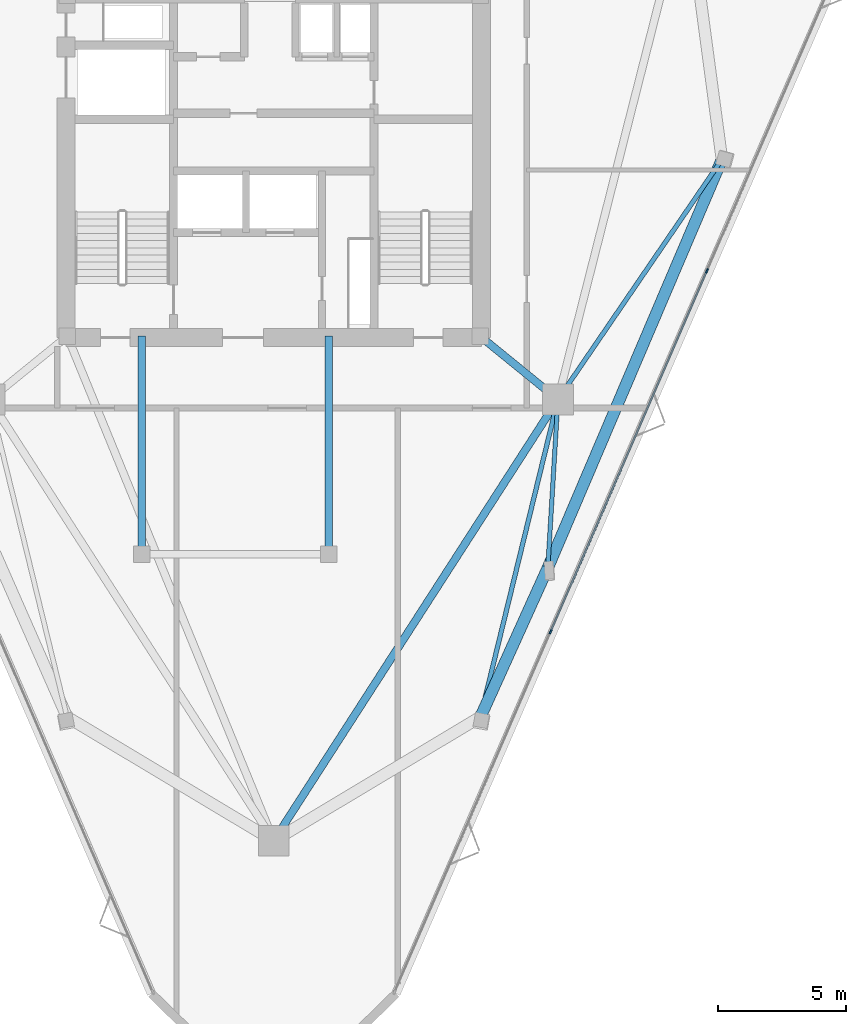
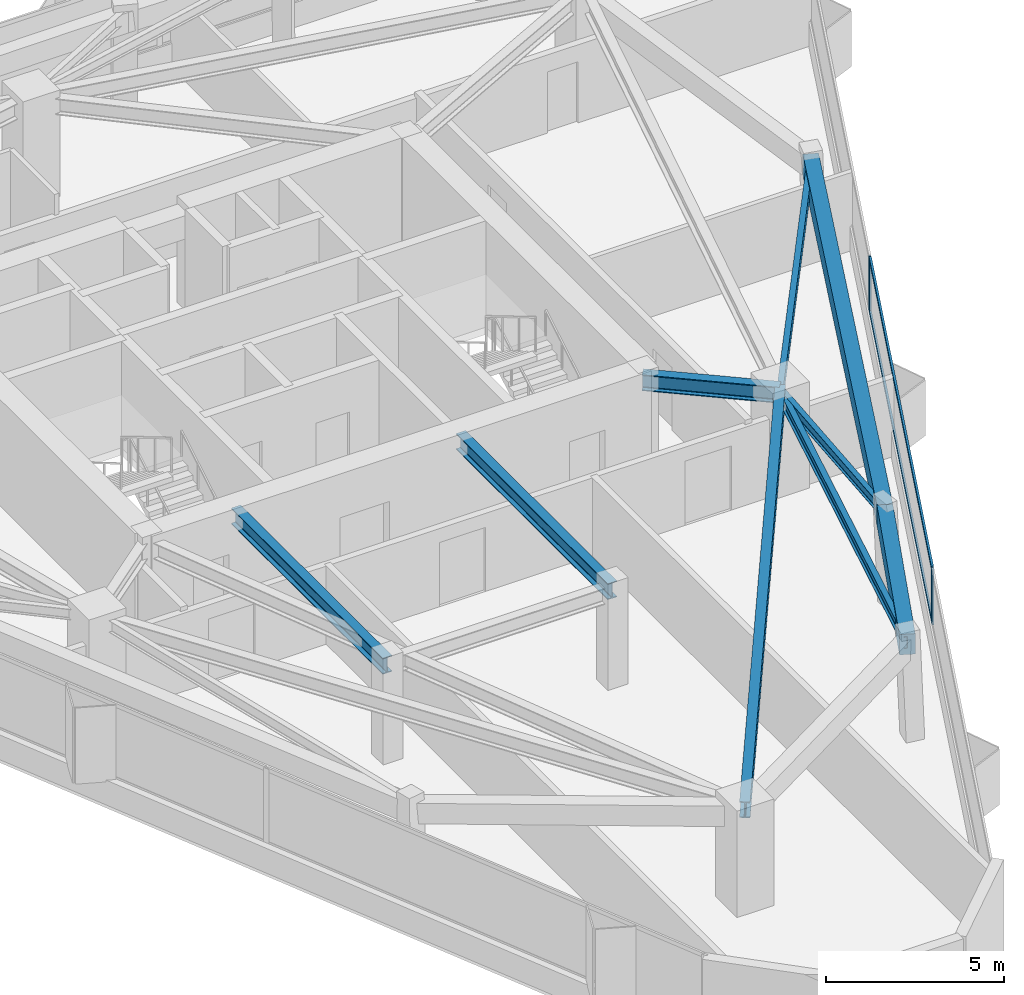
# One storey, part 4 of 11: 9 beams, 4 members, 1 element without a shape of its own.
"""IFC4 building model written with IfcOpenShell, lengths in metres."""

import ifcopenshell
import ifcopenshell.guid

model = None  # the IFC model being written
_history = None  # IfcOwnerHistory: only IFC2X3 demands one
_inside = {}  # id of a spatial element -> (the spatial element, [elements in it])
_under = {}  # id of a project, library or spatial element -> (it, [spatial elements below it])
_declared = {}  # id of a project -> (the project, [libraries it declares])
_typed = {}  # id of a type object -> (the type object, [elements of that type])
_made_of = {}  # id of a material, layer set ... -> (it, [elements and type objects made of it])


def new_model(schema):
    """Start an empty IFC model of exactly this schema.

    Asked for "IFC4X3", IfcOpenShell would pick the latest addendum, in which some entities
    have other attributes; the version numbers below select the first issue.
    IFC2X3 requires an IfcOwnerHistory on every rooted entity: one is made here for all.
    """
    global model, _history
    if schema == "IFC4X3":
        model = ifcopenshell.file(schema_version=(4, 3, 0, 0))
    else:
        model = ifcopenshell.file(schema=schema)
    _inside.clear()
    _under.clear()
    _declared.clear()
    _typed.clear()
    _made_of.clear()
    _history = None
    if model.schema == "IFC2X3":
        org = make("IfcOrganization", Name="unknown")
        user = make(
            "IfcPersonAndOrganization",
            ThePerson=make("IfcPerson", FamilyName="unknown"),
            TheOrganization=org,
        )
        app = make(
            "IfcApplication",
            ApplicationDeveloper=org,
            Version="unknown",
            ApplicationFullName="unknown",
            ApplicationIdentifier="unknown",
        )
        _history = make(
            "IfcOwnerHistory",
            OwningUser=user,
            OwningApplication=app,
            ChangeAction="ADDED",
            CreationDate=0,
        )
    return model


def make(cls, **values):
    """One entity of the class cls with the attributes given. An attribute that is None is left unset."""
    return model.create_entity(
        cls, **{name: value for name, value in values.items() if value is not None}
    )


def rooted(cls, **values):
    """An entity with a GlobalId (a new one), such as an element, a storey or a relation."""
    return make(cls, GlobalId=ifcopenshell.guid.new(), OwnerHistory=_history, **values)


def si_unit(unit_type, name, prefix=None):
    """IfcSIUnit, for example si_unit("LENGTHUNIT", "METRE", prefix="MILLI")."""
    return make("IfcSIUnit", UnitType=unit_type, Prefix=prefix, Name=name)


def assignment(units):
    """IfcUnitAssignment: the units of a project."""
    return None if units is None else make("IfcUnitAssignment", Units=units)


def point(xyz):
    """IfcCartesianPoint."""
    return None if xyz is None else make("IfcCartesianPoint", Coordinates=xyz)


def direction(xyz):
    """IfcDirection."""
    return None if xyz is None else make("IfcDirection", DirectionRatios=xyz)


def frame(location, z_axis=None, x_axis=None):
    """IfcAxis2Placement3D, a coordinate frame: its origin and axes. An axis left out is left unset."""
    return make(
        "IfcAxis2Placement3D",
        Location=point(location),
        Axis=direction(z_axis),
        RefDirection=direction(x_axis),
    )


def frame_2d(location, x_axis=None):
    """IfcAxis2Placement2D, a coordinate frame in the plane: its origin and x axis."""
    return make(
        "IfcAxis2Placement2D", Location=point(location), RefDirection=direction(x_axis)
    )


def origin():
    """The frame at (0, 0, 0) with its axes left unset."""
    return frame((0.0, 0.0, 0.0))


def origin_2d():
    """The frame at (0, 0) in the plane with its x axis left unset."""
    return frame_2d((0.0, 0.0))


def place(relative_to, where):
    """IfcLocalPlacement: puts the frame where relative to a parent placement (None: the world)."""
    return make(
        "IfcLocalPlacement", PlacementRelTo=relative_to, RelativePlacement=where
    )


def context(
    kind, dimensions, precision=None, world=None, true_north=None, identifier=None
):
    """IfcGeometricRepresentationContext, for example the 3D "Model" context."""
    return make(
        "IfcGeometricRepresentationContext",
        ContextIdentifier=identifier,
        ContextType=kind,
        CoordinateSpaceDimension=dimensions,
        Precision=precision,
        WorldCoordinateSystem=world,
        TrueNorth=true_north,
    )


def subcontext(parent, identifier, kind, view, scale=None):
    """IfcGeometricRepresentationSubContext, for example "Body" below "Model"."""
    return make(
        "IfcGeometricRepresentationSubContext",
        ContextIdentifier=identifier,
        ContextType=kind,
        ParentContext=parent,
        TargetScale=scale,
        TargetView=view,
    )


def project(units=None, contexts=None):
    """IfcProject with its units and contexts."""
    return rooted(
        "IfcProject",
        Name="project",
        RepresentationContexts=contexts,
        UnitsInContext=assignment(units),
    )


def spatial(cls, under=None, at=None, **own):
    """A site, building, storey or space (cls), placed at a placement, below another one or the project."""
    s = rooted(cls, ObjectPlacement=at, **own)
    if under is not None:
        _under.setdefault(under.id(), (under, []))[1].append(s)
    return s


def profile(cls, at=None, kind="AREA", **sizes):
    """A parametric profile (cls). Its sizes go by their IFC names, for example OverallWidth=200.0."""
    return make(cls, ProfileType=kind, Position=at, **sizes)


def rectangle(**sizes):
    """IfcRectangleProfileDef."""
    return profile("IfcRectangleProfileDef", **sizes)


def i_section(**sizes):
    """IfcIShapeProfileDef."""
    return profile("IfcIShapeProfileDef", **sizes)


def extrude(swept, where, along, depth):
    """IfcExtrudedAreaSolid: the profile swept, set in the frame where, extruded along a direction by depth."""
    return make(
        "IfcExtrudedAreaSolid",
        SweptArea=swept,
        Position=where,
        ExtrudedDirection=direction(along),
        Depth=depth,
    )


def shape(context_of_items, identifier, shape_type, items):
    """IfcShapeRepresentation: the items that make up one representation, for example the "Body"."""
    return make(
        "IfcShapeRepresentation",
        ContextOfItems=context_of_items,
        RepresentationIdentifier=identifier,
        RepresentationType=shape_type,
        Items=items,
    )


def material(Name=None, Category=None):
    """IfcMaterial."""
    return make("IfcMaterial", Name=Name, Category=Category)


def layer(
    of_material, thickness, ventilated=None, Name=None, Category=None, Priority=None
):
    """IfcMaterialLayer: one layer of a wall or slab, of a material (None: an air gap)."""
    return make(
        "IfcMaterialLayer",
        Material=of_material,
        LayerThickness=thickness,
        IsVentilated=ventilated,
        Name=Name,
        Category=Category,
        Priority=Priority,
    )


def layer_set(layers, Name=None):
    """IfcMaterialLayerSet."""
    return make("IfcMaterialLayerSet", MaterialLayers=layers, LayerSetName=Name)


def material_profile(
    of_material, cross_section, Name=None, Category=None, Priority=None
):
    """IfcMaterialProfile: a cross section and its material."""
    return make(
        "IfcMaterialProfile",
        Name=Name,
        Material=of_material,
        Profile=cross_section,
        Priority=Priority,
        Category=Category,
    )


def profile_set(profiles, Name=None, composite=None):
    """IfcMaterialProfileSet."""
    return make(
        "IfcMaterialProfileSet",
        Name=Name,
        MaterialProfiles=profiles,
        CompositeProfile=composite,
    )


def made_of(thing, what):
    """Note that an element or type object is made of a material, layer set ...; save() writes the relation."""
    if what is not None:
        _made_of.setdefault(what.id(), (what, []))[1].append(thing)
    return thing


def type_object(cls, material=None, **own):
    """A type object (cls), such as IfcWallType, which elements share."""
    return made_of(rooted(cls, **own), material)


def element(
    cls,
    number,
    at=None,
    inside=None,
    cuts=None,
    type_object=None,
    material=None,
    context=None,
    identifier="Body",
    shape_type=None,
    held_by="IfcProductDefinitionShape",
    body=None,
    shapes=None,
    **own,
):
    """One element of the class cls, such as IfcWall. Its Tag is "e" and its number.

    at: its placement. inside: the storey or other place that contains it. cuts: it is an
    opening in that element (IfcRelVoidsElement). A single representation is given by context,
    identifier, shape_type and body (its items); several are given by shapes. held_by: the class
    of the entity that holds the representations. save() writes the other relations.
    """
    e = rooted(cls, Tag="e%d" % number, ObjectPlacement=at, **own)
    if body is not None:
        shapes = [shape(context, identifier, shape_type, body)]
    if shapes is not None:
        e.Representation = make(held_by, Representations=shapes)
    if inside is not None:
        _inside.setdefault(inside.id(), (inside, []))[1].append(e)
    if cuts is not None:
        rooted(
            "IfcRelVoidsElement", RelatingBuildingElement=cuts, RelatedOpeningElement=e
        )
    if type_object is not None:
        _typed.setdefault(type_object.id(), (type_object, []))[1].append(e)
    return made_of(e, material)


def aggregate(whole, parts):
    """IfcRelAggregates: a whole, such as a stair, and the parts it consists of."""
    return rooted("IfcRelAggregates", RelatingObject=whole, RelatedObjects=parts)


def save(model, path):
    """Write the relations noted so far, then the file.

    IfcRelAggregates (storeys below a building ...), IfcRelContainedInSpatialStructure (elements
    in a storey), IfcRelDefinesByType, IfcRelAssociatesMaterial and IfcRelDeclares: one each for
    every whole, place, type object, material and project.
    """
    for whole, parts in _under.values():
        aggregate(whole, parts)
    for where, things in _inside.values():
        rooted(
            "IfcRelContainedInSpatialStructure",
            RelatedElements=things,
            RelatingStructure=where,
        )
    for kind, things in _typed.values():
        rooted("IfcRelDefinesByType", RelatedObjects=things, RelatingType=kind)
    for what, things in _made_of.values():
        rooted("IfcRelAssociatesMaterial", RelatedObjects=things, RelatingMaterial=what)
    for by, libraries in _declared.values():
        rooted("IfcRelDeclares", RelatingContext=by, RelatedDefinitions=libraries)
    model.write(path)


model = new_model("IFC4")

# Units and contexts
model_context = context("Model", 3, precision=1e-05, world=origin(), true_north=direction((0.0, 1.0)))
body_context = subcontext(model_context, "Body", "Model", "MODEL_VIEW")
ifc_project = project(units=[si_unit("LENGTHUNIT", "METRE"), si_unit("AREAUNIT", "SQUARE_METRE"), si_unit("VOLUMEUNIT", "CUBIC_METRE"), si_unit("PLANEANGLEUNIT", "RADIAN"), si_unit("MASSUNIT", "GRAM", prefix="KILO")], contexts=[model_context])

# Site, building, storey
site_placement = place(None, origin())
site = spatial("IfcSite", under=ifc_project, at=site_placement, CompositionType="ELEMENT")
building_placement = place(site_placement, origin())
building = spatial("IfcBuilding", under=site, at=building_placement, Name="Talyreon Biosciences Tower", CompositionType="ELEMENT")
storey_placement = place(building_placement, frame((0.0, 0.0, 249.85009765625)))
storey = spatial("IfcBuildingStorey", under=building, at=storey_placement, Name="L66", CompositionType="ELEMENT", Elevation=249.85009765625)

# Curtain wall, members
ifc_material_1 = material(Name="Thermally broken aluminium and low-E glazing", Category="aluminium")
ifc_layer = layer(ifc_material_1, 0.175048828125)
ifc_layer_set = layer_set([ifc_layer], Name="Thermally broken aluminium and low-E glazing")
curtain_wall_type = type_object("IfcCurtainWallType", Name="CurtainWall_Zone5CompLab", PredefinedType="NOTDEFINED", material=ifc_layer_set)
curtain_wall_placement = place(storey_placement, origin())
curtain_wall = element("IfcCurtainWall", 1, at=curtain_wall_placement, inside=storey, type_object=curtain_wall_type, Name="L66 Unitised Curtain Wall FCW-L66-08", PredefinedType="NOTDEFINED")
ifc_material_2 = material(Name="Anodised thermally broken aluminium", Category="aluminium")
ifc_material_profile_1 = material_profile(ifc_material_2, rectangle(XDim=0.06494140625, YDim=0.179931640625, at=origin_2d()), Name="ALUM MULLION 65x180")
ifc_profile_set_1 = profile_set([ifc_material_profile_1], Name="Anodised thermally broken aluminium")
member_type_1 = type_object("IfcMemberType", Name="CWMullion_65x180", PredefinedType="MULLION", material=ifc_profile_set_1)
member_1_placement = place(storey_placement, frame((82.900634765625, 63.8994140625, 0.809814453125), z_axis=(0.0, 0.0, 1.0), x_axis=(0.91758594353, -0.397537465198, 0.0)))
member_1 = element("IfcMember", 2, at=member_1_placement, type_object=member_type_1, Name="CW6 mullion 2", PredefinedType="MULLION", context=body_context, shape_type="SweptSolid", body=[
    extrude(rectangle(XDim=0.06494140625, YDim=0.179931640625, at=origin_2d()), origin(), (0.0, 0.0, 1.0), 1.89013671875),
])
member_2_placement = place(storey_placement, frame((76.79931640625, 49.816650390625, 0.809814453125), z_axis=(0.0, 0.0, 1.0), x_axis=(0.91758594353, -0.397537465198, 0.0)))
member_2 = element("IfcMember", 3, at=member_2_placement, type_object=member_type_1, Name="CW6 mullion 3", PredefinedType="MULLION", context=body_context, shape_type="SweptSolid", body=[
    extrude(rectangle(XDim=0.06494140625, YDim=0.179931640625, at=origin_2d()), origin(), (0.0, 0.0, 1.0), 1.89013671875),
])
ifc_material_profile_2 = material_profile(ifc_material_2, rectangle(XDim=0.06494140625, YDim=0.139892578125, at=origin_2d()), Name="ALUM TRANSOM 65x140")
ifc_profile_set_2 = profile_set([ifc_material_profile_2], Name="Anodised thermally broken aluminium")
member_type_2 = type_object("IfcMemberType", Name="CWTransom_65x140", PredefinedType="USERDEFINED", material=ifc_profile_set_2)
member_3_placement = place(storey_placement, frame((82.8876953125, 63.86962890625, 0.84228515625), z_axis=(-0.39753705097, -0.917586122991, 0.0), x_axis=(0.917586122991, -0.39753705097, 0.0)))
member_3 = element("IfcMember", 4, at=member_3_placement, type_object=member_type_2, Name="CW6 transom 2.1", ObjectType="TRANSOM", PredefinedType="USERDEFINED", context=body_context, shape_type="SweptSolid", body=[
    extrude(rectangle(XDim=0.06494140625, YDim=0.139892578125, at=origin_2d()), origin(), (0.0, 0.0, 1.0), 15.28271484375),
])
member_4_placement = place(storey_placement, frame((82.8876953125, 63.86962890625, 2.66748046875), z_axis=(-0.39753705097, -0.917586122991, 0.0), x_axis=(0.917586122991, -0.39753705097, 0.0)))
member_4 = element("IfcMember", 5, at=member_4_placement, type_object=member_type_2, Name="CW6 transom 2.2", ObjectType="TRANSOM", PredefinedType="USERDEFINED", context=body_context, shape_type="SweptSolid", body=[
    extrude(rectangle(XDim=0.06494140625, YDim=0.139892578125, at=origin_2d()), origin(), (0.0, 0.0, 1.0), 15.28271484375),
])
aggregate(curtain_wall, [member_1, member_2, member_3, member_4])

# Beams
ifc_material_3 = material(Name="Precast concrete C45/55", Category="concrete")
ifc_material_profile_3 = material_profile(ifc_material_3, rectangle(XDim=0.449951171875, YDim=0.699951171875, at=origin_2d()), Name="RCB 450x700")
ifc_profile_set_3 = profile_set([ifc_material_profile_3], Name="Precast concrete C45/55")
beam_type_1 = type_object("IfcBeamType", Name="ExpressedSpandrel_450x700", PredefinedType="SPANDREL", material=ifc_profile_set_3)
beam_1_placement = place(storey_placement, frame((74.064208984375, 46.497802734375, 3.0498046875), z_axis=(0.411735338283, 0.911303468231, 0.0), x_axis=(-0.911303468231, 0.411735338283, 0.0)))
element("IfcBeam", 6, at=beam_1_placement, inside=storey, type_object=beam_type_1, Name="L66 Expressed Horizontal Concrete Spandrel 02", PredefinedType="SPANDREL", context=body_context, shape_type="SweptSolid", body=[
    extrude(rectangle(XDim=0.449951171875, YDim=0.699951171875, at=origin_2d()), origin(), (0.0, 0.0, 1.0), 6.382080078125),
])
beam_2_placement = place(storey_placement, frame((76.69189453125, 52.313720703125, 3.0498046875), z_axis=(0.392135788613, 0.919907344948, 0.0), x_axis=(-0.919907344948, 0.392135788613, 0.0)))
element("IfcBeam", 7, at=beam_2_placement, inside=storey, type_object=beam_type_1, Name="L66 Expressed Horizontal Concrete Spandrel 03", PredefinedType="SPANDREL", context=body_context, shape_type="SweptSolid", body=[
    extrude(rectangle(XDim=0.449951171875, YDim=0.699951171875, at=origin_2d()), origin(), (0.0, 0.0, 1.0), 17.321044921875),
])
ifc_material_4 = material(Name="Steel SM355", Category="steel")
ifc_material_profile_4 = material_profile(ifc_material_4, i_section(OverallWidth=0.300048828125, OverallDepth=0.550048828125, WebThickness=0.014892578125, FlangeThickness=0.029052734375, FilletRadius=0.027099609375, at=origin_2d()), Name="HE550B")
ifc_profile_set_4 = profile_set([ifc_material_profile_4], Name="Steel SM355")
beam_type_2 = type_object("IfcBeamType", Name="SteelBeam_HE550B", PredefinedType="BEAM", material=ifc_profile_set_4)
beam_3_placement = place(storey_placement, frame((66.0, 41.6669921875, 3.125), z_axis=(0.541463723609, 0.840724114092, 0.0), x_axis=(-0.840724114092, 0.541463723609, 0.0)))
element("IfcBeam", 8, at=beam_3_placement, inside=storey, type_object=beam_type_2, Name="L66 Mega-Ring Girder 1", PredefinedType="BEAM", context=body_context, shape_type="SweptSolid", body=[
    extrude(i_section(OverallWidth=0.300048828125, OverallDepth=0.550048828125, WebThickness=0.014892578125, FlangeThickness=0.029052734375, FilletRadius=0.027099609375, at=origin_2d()), origin(), (0.0, 0.0, 1.0), 20.474365234375),
])
beam_4_placement = place(storey_placement, frame((74.050048828125, 61.35009765625, 3.125), z_axis=(0.775755154013, -0.631034025249, 0.0), x_axis=(0.631034025249, 0.775755154013, 0.0)))
element("IfcBeam", 9, at=beam_4_placement, inside=storey, type_object=beam_type_2, Name="L66 Radial Primary Girder 2", PredefinedType="BEAM", context=body_context, shape_type="SweptSolid", body=[
    extrude(i_section(OverallWidth=0.300048828125, OverallDepth=0.550048828125, WebThickness=0.014892578125, FlangeThickness=0.029052734375, FilletRadius=0.027099609375, at=origin_2d()), origin(), (0.0, 0.0, 1.0), 3.913818359375),
])
for number, where, z_axis, x_axis, name in (
    (10, (60.85009765625, 52.840087890625, 3.125), (0.0, 1.0, 0.0), (-1.0, 0.0, 0.0), "L66 Crown Shaft Tie Girder W"),
    (11, (68.14990234375, 52.840087890625, 3.125), (0.0, 1.0, 0.0), (-1.0, 0.0, 0.0), "L66 Crown Shaft Tie Girder E"),
):
    element("IfcBeam", number, at=place(storey_placement, frame(where, z_axis=z_axis, x_axis=x_axis)), inside=storey, type_object=beam_type_2, Name=name, PredefinedType="BEAM", context=body_context, shape_type="SweptSolid", body=[
        extrude(i_section(OverallWidth=0.300048828125, OverallDepth=0.550048828125, WebThickness=0.014892578125, FlangeThickness=0.029052734375, FilletRadius=0.027099609375, at=origin_2d()), origin(), (0.0, 0.0, 1.0), 8.510009765625),
    ])
ifc_material_profile_5 = material_profile(ifc_material_4, i_section(OverallWidth=0.169921875, OverallDepth=0.360107421875, WebThickness=0.008056640625, FlangeThickness=0.0126953125, FilletRadius=0.01806640625, at=origin_2d()), Name="IPE360")
ifc_profile_set_5 = profile_set([ifc_material_profile_5], Name="Steel SM355")
beam_type_3 = type_object("IfcBeamType", Name="SteelJoist_IPE360", PredefinedType="JOIST", material=ifc_profile_set_5)
beam_5_placement = place(storey_placement, frame((77.086181640625, 58.88037109375, 3.139892578125), z_axis=(-0.059935925778, -0.998202226406, 0.0), x_axis=(0.998202226406, -0.059935925778, 0.0)))
element("IfcBeam", 12, at=beam_5_placement, inside=storey, type_object=beam_type_3, Name="L66 Radial Composite Floor Joist PL-SE", PredefinedType="JOIST", context=body_context, shape_type="SweptSolid", body=[
    extrude(i_section(OverallWidth=0.169921875, OverallDepth=0.360107421875, WebThickness=0.008056640625, FlangeThickness=0.0126953125, FilletRadius=0.01806640625, at=origin_2d()), origin(), (0.0, 0.0, 1.0), 6.578369140625),
])
ifc_material_profile_6 = material_profile(ifc_material_4, i_section(OverallWidth=0.179931640625, OverallDepth=0.39990234375, WebThickness=0.008544921875, FlangeThickness=0.013427734375, FilletRadius=0.02099609375, at=origin_2d()), Name="IPE400")
ifc_profile_set_6 = profile_set([ifc_material_profile_6], Name="Steel SM355")
beam_type_4 = type_object("IfcBeamType", Name="SteelJoist_IPE400", PredefinedType="JOIST", material=ifc_profile_set_6)
beam_6_placement = place(storey_placement, frame((77.086181640625, 58.88037109375, 3.119873046875), z_axis=(-0.237091989535, -0.971487204495, 0.0), x_axis=(0.971487204495, -0.237091989535, 0.0)))
element("IfcBeam", 13, at=beam_6_placement, inside=storey, type_object=beam_type_4, Name="L66 Radial Composite Floor Joist PC-SE1", PredefinedType="JOIST", context=body_context, shape_type="SweptSolid", body=[
    extrude(i_section(OverallWidth=0.179931640625, OverallDepth=0.39990234375, WebThickness=0.008544921875, FlangeThickness=0.013427734375, FilletRadius=0.02099609375, at=origin_2d()), origin(), (0.0, 0.0, 1.0), 12.74609375),
])
beam_7_placement = place(storey_placement, frame((77.086181640625, 58.88037109375, 3.119873046875), z_axis=(0.564012477798, 0.825766265288, 0.0), x_axis=(-0.825766265288, 0.564012477798, 0.0)))
element("IfcBeam", 14, at=beam_7_placement, inside=storey, type_object=beam_type_4, Name="L66 Radial Composite Floor Joist PC-SE2", PredefinedType="JOIST", context=body_context, shape_type="SweptSolid", body=[
    extrude(i_section(OverallWidth=0.179931640625, OverallDepth=0.39990234375, WebThickness=0.008544921875, FlangeThickness=0.013427734375, FilletRadius=0.02099609375, at=origin_2d()), origin(), (0.0, 0.0, 1.0), 11.34375),
])

save(model, "model.ifc")
